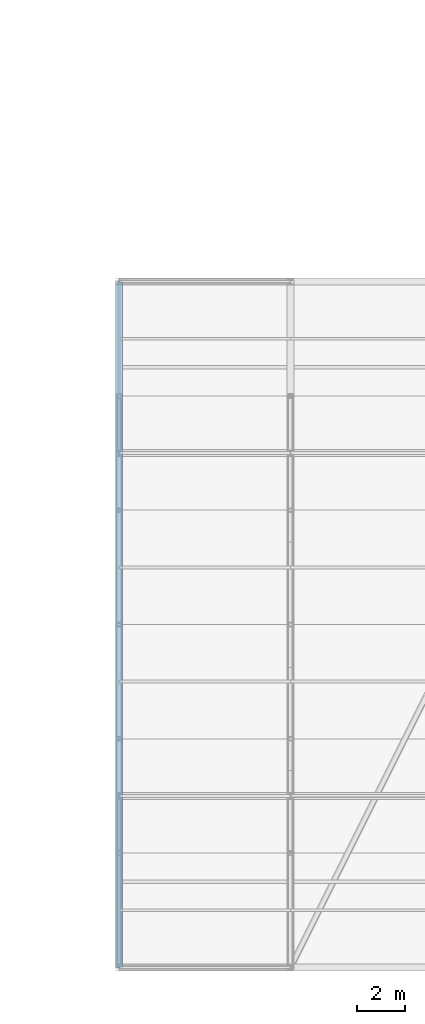
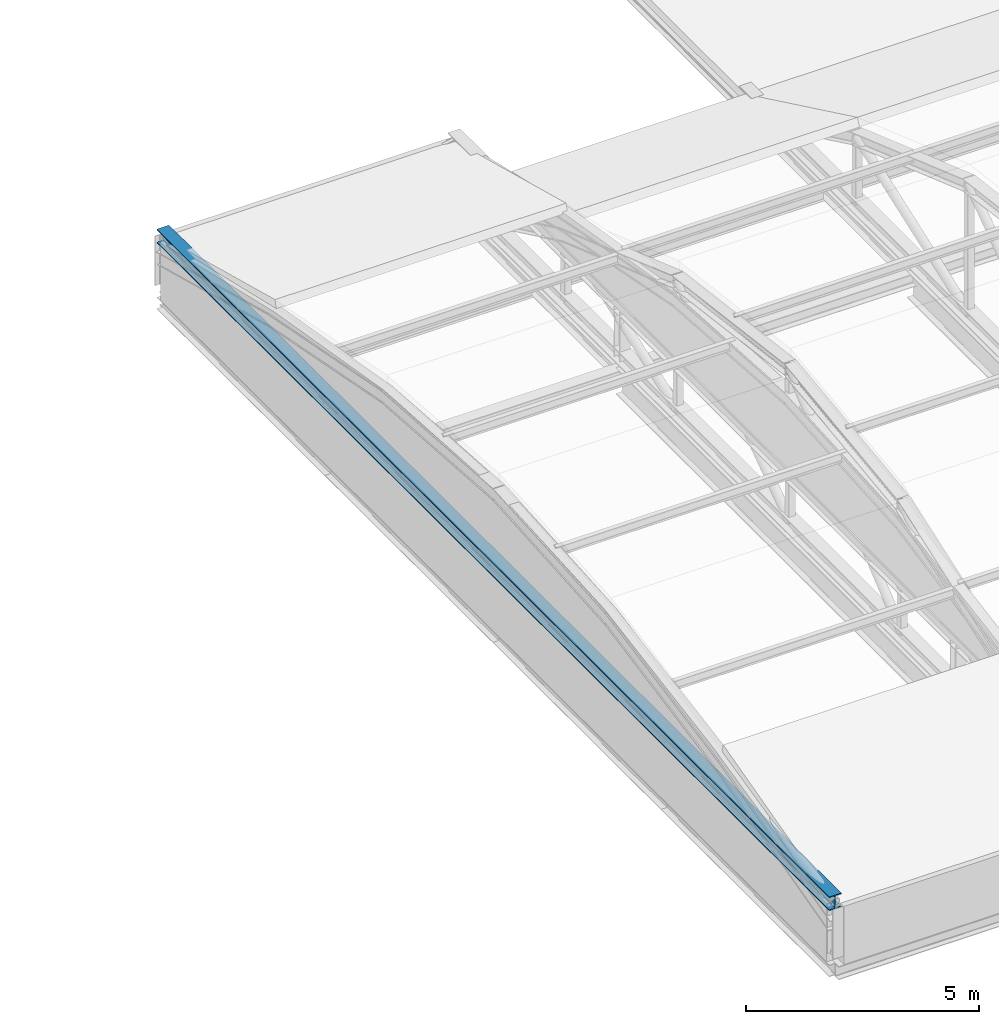
# One storey, part 14 of 103: 1 member.
"""IFC4 building model written with IfcOpenShell, lengths in metres."""

from ifc_helpers import new_model, si_unit, direction, frame, origin, origin_2d, place, context, subcontext, project, spatial, i_section, extrude, material, material_profile, profile_set, type_object, element, save


model = new_model("IFC4")

# Units and contexts
model_context = context("Model", 3, precision=1e-05, world=origin(), true_north=direction((0.0, 1.0)))
body_context = subcontext(model_context, "Body", "Model", "MODEL_VIEW")
ifc_project = project(units=[si_unit("LENGTHUNIT", "METRE"), si_unit("AREAUNIT", "SQUARE_METRE"), si_unit("VOLUMEUNIT", "CUBIC_METRE"), si_unit("PLANEANGLEUNIT", "RADIAN"), si_unit("MASSUNIT", "GRAM", prefix="KILO")], contexts=[model_context])

# Site, building, storey
site_placement = place(None, origin())
site = spatial("IfcSite", under=ifc_project, at=site_placement, CompositionType="ELEMENT")
building_placement = place(site_placement, origin())
building = spatial("IfcBuilding", under=site, at=building_placement, Name="Zlatovets Crest Museum", CompositionType="ELEMENT")
storey_placement = place(building_placement, frame((0.0, 0.0, 12.89990234375)))
storey = spatial("IfcBuildingStorey", under=building, at=storey_placement, Name="L03", CompositionType="ELEMENT", Elevation=12.89990234375)

# Member
ifc_material = material(Name="Structural steel S355J2", Category="steel")
ifc_material_profile = material_profile(ifc_material, i_section(OverallWidth=0.300048828125, OverallDepth=0.360107421875, WebThickness=0.012451171875, FlangeThickness=0.0224609375, FilletRadius=0.027099609375, at=origin_2d()), Name="HEB 360")
ifc_profile_set = profile_set([ifc_material_profile], Name="Structural steel S355J2")
member_type = type_object("IfcMemberType", Name="Member_TM-01", PredefinedType="CHORD", material=ifc_profile_set)
member_placement = place(storey_placement, frame((0.0, 0.0, 1.380126953125), z_axis=(0.0, 1.0, 0.0), x_axis=(-1.0, 0.0, 0.0)))
element("IfcMember", 1, at=member_placement, inside=storey, type_object=member_type, Name="V3 Art Nouveau Barrel Vault Tie Chord", PredefinedType="CHORD", context=body_context, shape_type="SweptSolid", body=[
    extrude(i_section(OverallWidth=0.300048828125, OverallDepth=0.360107421875, WebThickness=0.012451171875, FlangeThickness=0.0224609375, FilletRadius=0.027099609375, at=origin_2d()), origin(), (0.0, 0.0, 1.0), 28.800048828125),
])

save(model, "model.ifc")
